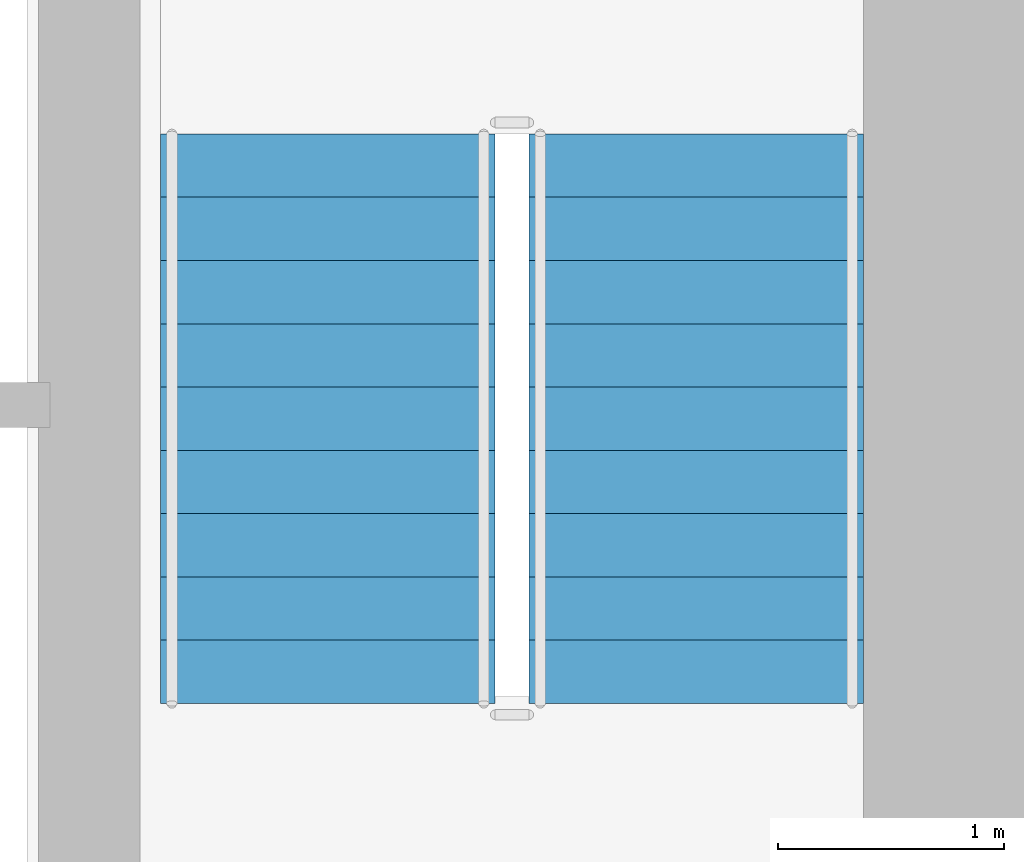
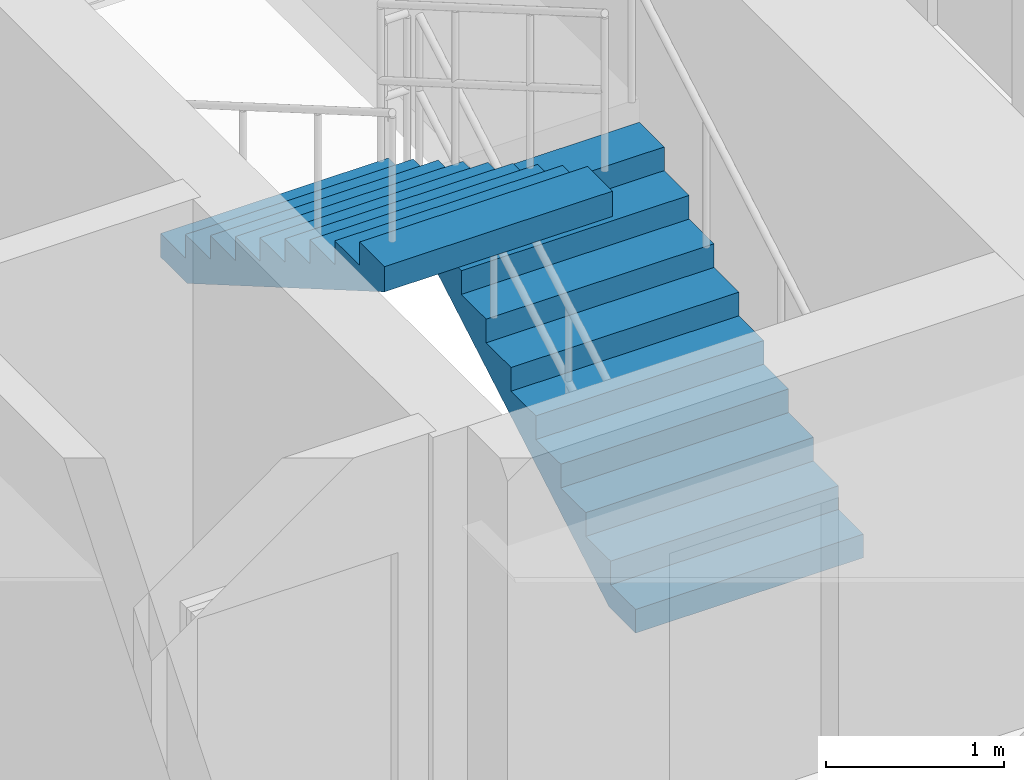
# One storey, part 35 of 37: 2 stair flights, 1 element without a shape of its own.
"""IFC4 building model written with IfcOpenShell, lengths in metres."""

from ifc_helpers import new_model, si_unit, direction, frame, origin, place, context, subcontext, project, spatial, polyline, outline, extrude, material, type_object, element, aggregate, save


model = new_model("IFC4")

# Units and contexts
model_context = context("Model", 3, precision=1e-05, world=origin(), true_north=direction((0.0, 1.0)))
body_context = subcontext(model_context, "Body", "Model", "MODEL_VIEW")
ifc_project = project(units=[si_unit("LENGTHUNIT", "METRE"), si_unit("AREAUNIT", "SQUARE_METRE"), si_unit("VOLUMEUNIT", "CUBIC_METRE"), si_unit("PLANEANGLEUNIT", "RADIAN"), si_unit("MASSUNIT", "GRAM", prefix="KILO")], contexts=[model_context])

# Site, building, storey
site_placement = place(None, origin())
site = spatial("IfcSite", under=ifc_project, at=site_placement, CompositionType="ELEMENT")
building_placement = place(site_placement, origin())
building = spatial("IfcBuilding", under=site, at=building_placement, Name="Veraguas Prism Commons", CompositionType="ELEMENT")
storey_placement = place(building_placement, frame((0.0, 0.0, 70.60009765625)))
storey = spatial("IfcBuildingStorey", under=building, at=storey_placement, Name="L19", CompositionType="ELEMENT", Elevation=70.60009765625)

# Stair, stair flights
ifc_material = material(Name="Precast concrete C45/55", Category="concrete")
stair_type = type_object("IfcStairType", Name="Dogleg Core Stair 1480W 20R 05", PredefinedType="HALF_TURN_STAIR", material=ifc_material)
stair_placement = place(storey_placement, origin())
stair = element("IfcStair", 1, at=stair_placement, inside=storey, type_object=stair_type, Name="Protected Exit Stair ST-02 L19", PredefinedType="HALF_TURN_STAIR")
stair_flight_type = type_object("IfcStairFlightType", Name="Precast Stair Flight 1480W 10R 05", PredefinedType="STRAIGHT", material=ifc_material)
stair_flight_1_placement = place(storey_placement, frame((29.659912109375, 21.280029296875, 0.0), z_axis=(0.0, 0.0, 1.0), x_axis=(0.0, 1.0, 0.0)))
stair_flight_1 = element("IfcStairFlight", 2, at=stair_flight_1_placement, type_object=stair_flight_type, Name="ST-05 Flight 1", NumberOfRisers=10, NumberOfTreads=9, PredefinedType="STRAIGHT", RiserHeight=0.1625, TreadLength=0.28, context=body_context, shape_type="SweptSolid", body=[
    extrude(outline(polyline([(0.0, 0.0), (0.0, 0.16259765625), (0.280029296875, 0.16259765625), (0.280029296875, 0.324951171875), (0.56005859375, 0.324951171875), (0.56005859375, 0.487548828125), (0.840087890625, 0.487548828125), (0.840087890625, 0.64990234375), (1.1201171875, 0.64990234375), (1.1201171875, 0.8125), (1.39990234375, 0.8125), (1.39990234375, 0.97509765625), (1.679931640625, 0.97509765625), (1.679931640625, 1.137451171875), (1.9599609375, 1.137451171875), (1.9599609375, 1.300048828125), (2.239990234375, 1.300048828125), (2.239990234375, 1.46240234375), (2.52001953125, 1.46240234375), (2.52001953125, 1.625), (2.52001953125, 1.2890625), (0.298583984375, 0.0), (0.0, 0.0)])), frame((0.0, 0.739990234375, 0.0), z_axis=(0.0, -1.0, 0.0), x_axis=(1.0, 0.0, 0.0)), (0.0, 0.0, 1.0), 1.47998046875),
])
stair_flight_2_placement = place(storey_placement, frame((28.030029296875, 23.800048828125, 1.625), z_axis=(0.0, 0.0, 1.0), x_axis=(0.0, -1.0, 0.0)))
stair_flight_2 = element("IfcStairFlight", 3, at=stair_flight_2_placement, type_object=stair_flight_type, Name="ST-05 Flight 2", NumberOfRisers=10, NumberOfTreads=9, PredefinedType="STRAIGHT", RiserHeight=0.1625, TreadLength=0.28, context=body_context, shape_type="SweptSolid", body=[
    extrude(outline(polyline([(0.0, 0.0), (0.0, 0.16259765625), (0.280029296875, 0.16259765625), (0.280029296875, 0.324951171875), (0.56005859375, 0.324951171875), (0.56005859375, 0.487548828125), (0.840087890625, 0.487548828125), (0.840087890625, 0.64990234375), (1.1201171875, 0.64990234375), (1.1201171875, 0.8125), (1.39990234375, 0.8125), (1.39990234375, 0.97509765625), (1.679931640625, 0.97509765625), (1.679931640625, 1.137451171875), (1.9599609375, 1.137451171875), (1.9599609375, 1.300048828125), (2.239990234375, 1.300048828125), (2.239990234375, 1.46240234375), (2.52001953125, 1.46240234375), (2.52001953125, 1.625), (2.52001953125, 1.2890625), (0.298583984375, 0.0), (0.0, 0.0)])), frame((0.0, 0.739990234375, 0.0), z_axis=(0.0, -1.0, 0.0), x_axis=(1.0, 0.0, 0.0)), (0.0, 0.0, 1.0), 1.47998046875),
])
aggregate(stair, [stair_flight_1, stair_flight_2])

save(model, "model.ifc")
